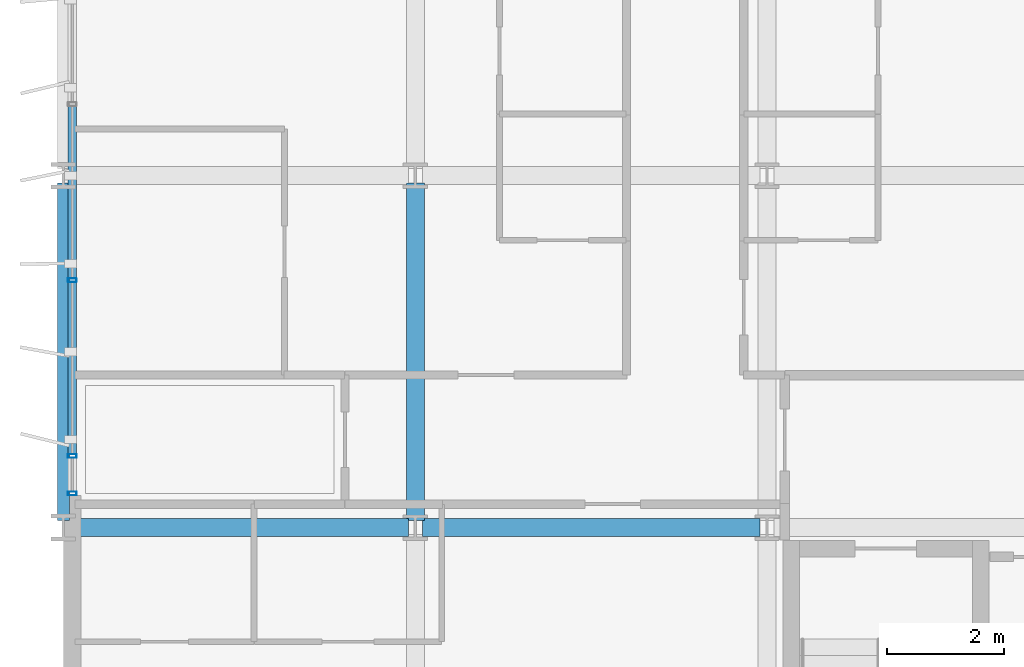
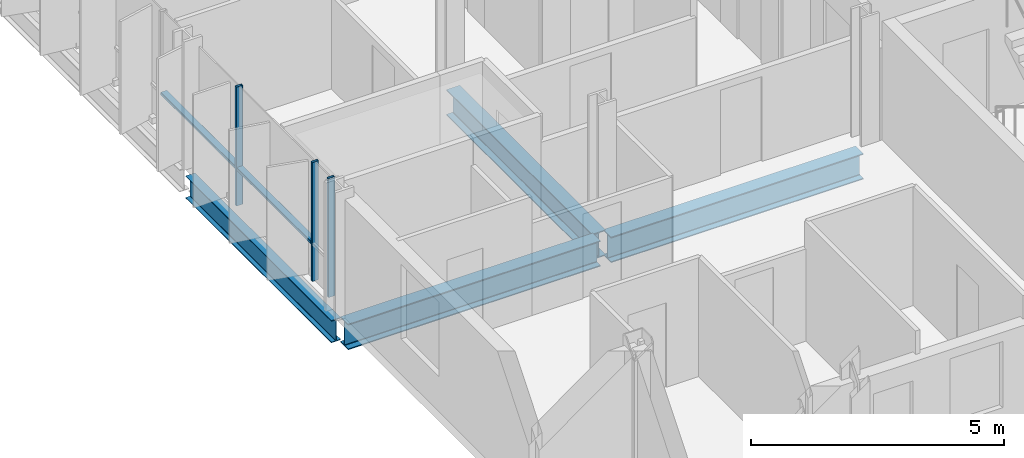
# One storey, part 2 of 39: 5 members, 4 beams, 1 element without a shape of its own.
"""IFC4 building model written with IfcOpenShell, lengths in metres."""

from ifc_helpers import new_model, si_unit, direction, frame, origin, origin_2d, place, context, subcontext, project, spatial, hollow_rectangle, i_section, extrude, material, layer, layer_set, material_profile, profile_set, type_object, element, aggregate, save


model = new_model("IFC4")

# Units and contexts
model_context = context("Model", 3, precision=1e-05, world=origin(), true_north=direction((0.0, 1.0)))
body_context = subcontext(model_context, "Body", "Model", "MODEL_VIEW")
ifc_project = project(units=[si_unit("LENGTHUNIT", "METRE"), si_unit("AREAUNIT", "SQUARE_METRE"), si_unit("VOLUMEUNIT", "CUBIC_METRE"), si_unit("PLANEANGLEUNIT", "RADIAN"), si_unit("MASSUNIT", "GRAM", prefix="KILO")], contexts=[model_context])

# Site, building, storey
site_placement = place(None, origin())
site = spatial("IfcSite", under=ifc_project, at=site_placement, CompositionType="ELEMENT")
building_placement = place(site_placement, origin())
building = spatial("IfcBuilding", under=site, at=building_placement, Name="Brevholm Reach", CompositionType="ELEMENT")
storey_placement = place(building_placement, frame((0.0, 0.0, 77.60009765625)))
storey = spatial("IfcBuildingStorey", under=building, at=storey_placement, Name="L22", CompositionType="ELEMENT", Elevation=77.60009765625)

# Beams
ifc_material_1 = material(Name="Structural Steel S355J2", Category="steel")
ifc_material_profile_1 = material_profile(ifc_material_1, i_section(OverallWidth=0.210693359375, OverallDepth=0.53955078125, WebThickness=0.01171875, FlangeThickness=0.018798828125, FilletRadius=0.0126953125, at=origin_2d()), Name="UKB 533x210x109")
ifc_profile_set_1 = profile_set([ifc_material_profile_1], Name="Structural Steel S355J2")
beam_type_1 = type_object("IfcBeamType", Name="BM-SP539", PredefinedType="SPANDREL", material=ifc_profile_set_1)
beam_placement = place(storey_placement, frame((0.0, 10.1201171875, -0.499755859375), z_axis=(0.0, 1.0, 0.0), x_axis=(-1.0, 0.0, 0.0)))
element("IfcBeam", 1, at=beam_placement, inside=storey, type_object=beam_type_1, Name="L22 SP-01B Framing Beam", PredefinedType="SPANDREL", context=body_context, shape_type="SweptSolid", body=[
    extrude(i_section(OverallWidth=0.210693359375, OverallDepth=0.53955078125, WebThickness=0.01171875, FlangeThickness=0.018798828125, FilletRadius=0.0126953125, at=origin_2d()), origin(), (0.0, 0.0, 1.0), 5.759765625),
])
ifc_material_2 = material(Name="Structural Steel S355J2", Category="steel")
ifc_material_profile_2 = material_profile(ifc_material_2, i_section(OverallWidth=0.30712890625, OverallDepth=0.6201171875, WebThickness=0.01416015625, FlangeThickness=0.023681640625, FilletRadius=0.0166015625, at=origin_2d()), Name="UKB 610x305x179")
ifc_profile_set_2 = profile_set([ifc_material_profile_2], Name="Structural Steel S355J2")
beam_type_2 = type_object("IfcBeamType", Name="BM-UKB610H", PredefinedType="USERDEFINED", material=ifc_profile_set_2)
for number, where, z_axis, x_axis, name in (
    (2, (0.1201171875, 10.0, -0.540283203125), (1.0, 0.0, 0.0), (0.0, 1.0, 0.0), "L22 G-06 Framing Beam"),
    (3, (6.1201171875, 10.0, -0.540283203125), (1.0, 0.0, 0.0), (0.0, 1.0, 0.0), "L22 G-06 Framing Beam"),
    (4, (6.0, 10.1201171875, -0.540283203125), (0.0, 1.0, 0.0), (-1.0, 0.0, 0.0), "L22 G-06 Framing Beam"),
):
    element("IfcBeam", number, at=place(storey_placement, frame(where, z_axis=z_axis, x_axis=x_axis)), inside=storey, type_object=beam_type_2, Name=name, ObjectType="GIRDER", PredefinedType="USERDEFINED", context=body_context, shape_type="SweptSolid", body=[
        extrude(i_section(OverallWidth=0.30712890625, OverallDepth=0.6201171875, WebThickness=0.01416015625, FlangeThickness=0.023681640625, FilletRadius=0.0166015625, at=origin_2d()), origin(), (0.0, 0.0, 1.0), 5.759765625),
    ])

# Curtain wall, members
ifc_material_3 = material(Name="Dark Anodised Aluminium 6063-T6 and Solar-Control Glass", Category="aluminium")
ifc_layer = layer(ifc_material_3, 0.14990234375)
ifc_layer_set = layer_set([ifc_layer], Name="Dark Anodised Aluminium 6063-T6 and Solar-Control Glass")
curtain_wall_type = type_object("IfcCurtainWallType", Name="CW-01", PredefinedType="NOTDEFINED", material=ifc_layer_set)
curtain_wall_placement = place(storey_placement, origin())
curtain_wall = element("IfcCurtainWall", 5, at=curtain_wall_placement, inside=storey, type_object=curtain_wall_type, Name="L22 Curtain Wall CW-01", PredefinedType="NOTDEFINED")
ifc_material_4 = material(Name="Dark Anodised Aluminium 6063-T6", Category="aluminium")
ifc_material_profile_3 = material_profile(ifc_material_4, hollow_rectangle(XDim=0.06494140625, YDim=0.14990234375, WallThickness=0.0048828125, InnerFilletRadius=0.0048828125, OuterFilletRadius=0.010009765625, at=origin_2d()), Name="RHS 150x65x5")
ifc_profile_set_3 = profile_set([ifc_material_profile_3], Name="Dark Anodised Aluminium 6063-T6")
member_type_1 = type_object("IfcMemberType", Name="CWM-150", PredefinedType="MULLION", material=ifc_profile_set_3)
member_1_placement = place(storey_placement, frame((0.14990234375, 14.219970703125, 0.0), z_axis=(0.0, 0.0, 1.0), x_axis=(0.0, -1.0, 0.0)))
member_1 = element("IfcMember", 6, at=member_1_placement, type_object=member_type_1, Name="CM-150 Mullion 4", PredefinedType="MULLION", context=body_context, shape_type="SweptSolid", body=[
    extrude(hollow_rectangle(XDim=0.06494140625, YDim=0.14990234375, WallThickness=0.0048828125, InnerFilletRadius=0.0048828125, OuterFilletRadius=0.010009765625, at=origin_2d()), origin(), (0.0, 0.0, 1.0), 2.869873046875),
])
member_2_placement = place(storey_placement, frame((0.14990234375, 11.219970703125, 0.0), z_axis=(0.0, 0.0, 1.0), x_axis=(0.0, -1.0, 0.0)))
member_2 = element("IfcMember", 7, at=member_2_placement, type_object=member_type_1, Name="CM-150 Mullion 5", PredefinedType="MULLION", context=body_context, shape_type="SweptSolid", body=[
    extrude(hollow_rectangle(XDim=0.06494140625, YDim=0.14990234375, WallThickness=0.0048828125, InnerFilletRadius=0.0048828125, OuterFilletRadius=0.010009765625, at=origin_2d()), origin(), (0.0, 0.0, 1.0), 2.869873046875),
])
member_3_placement = place(storey_placement, frame((0.14990234375, 10.58251953125, 0.0), z_axis=(0.0, 0.0, 1.0), x_axis=(0.0, -1.0, 0.0)))
member_3 = element("IfcMember", 8, at=member_3_placement, type_object=member_type_1, Name="CM-150 Mullion 6", PredefinedType="MULLION", context=body_context, shape_type="SweptSolid", body=[
    extrude(hollow_rectangle(XDim=0.06494140625, YDim=0.14990234375, WallThickness=0.0048828125, InnerFilletRadius=0.0048828125, OuterFilletRadius=0.010009765625, at=origin_2d()), origin(), (0.0, 0.0, 1.0), 2.869873046875),
])
ifc_material_5 = material(Name="Dark Anodised Aluminium 6063-T6", Category="aluminium")
ifc_material_profile_4 = material_profile(ifc_material_5, hollow_rectangle(XDim=0.06494140625, YDim=0.14990234375, WallThickness=0.0048828125, InnerFilletRadius=0.0048828125, OuterFilletRadius=0.010009765625, at=origin_2d()), Name="RHS 150x65x5")
ifc_profile_set_4 = profile_set([ifc_material_profile_4], Name="Dark Anodised Aluminium 6063-T6")
member_type_2 = type_object("IfcMemberType", Name="CWT-150", PredefinedType="NOTDEFINED", material=ifc_profile_set_4)
member_4_placement = place(storey_placement, frame((0.14990234375, 17.1875, 0.89990234375), z_axis=(0.0, -1.0, 0.0), x_axis=(0.0, 0.0, 1.0)))
member_4 = element("IfcMember", 9, at=member_4_placement, type_object=member_type_2, Name="CT-150 Transom 3.1", ObjectType="TRANSOM", PredefinedType="USERDEFINED", context=body_context, shape_type="SweptSolid", body=[
    extrude(hollow_rectangle(XDim=0.06494140625, YDim=0.14990234375, WallThickness=0.0048828125, InnerFilletRadius=0.0048828125, OuterFilletRadius=0.010009765625, at=origin_2d()), origin(), (0.0, 0.0, 1.0), 2.93505859375),
])
member_5_placement = place(storey_placement, frame((0.14990234375, 14.1875, 0.89990234375), z_axis=(0.0, -1.0, 0.0), x_axis=(0.0, 0.0, 1.0)))
member_5 = element("IfcMember", 10, at=member_5_placement, type_object=member_type_2, Name="CT-150 Transom 4.1", ObjectType="TRANSOM", PredefinedType="USERDEFINED", context=body_context, shape_type="SweptSolid", body=[
    extrude(hollow_rectangle(XDim=0.06494140625, YDim=0.14990234375, WallThickness=0.0048828125, InnerFilletRadius=0.0048828125, OuterFilletRadius=0.010009765625, at=origin_2d()), origin(), (0.0, 0.0, 1.0), 2.93505859375),
])
aggregate(curtain_wall, [member_1, member_2, member_3, member_4, member_5])

save(model, "model.ifc")
